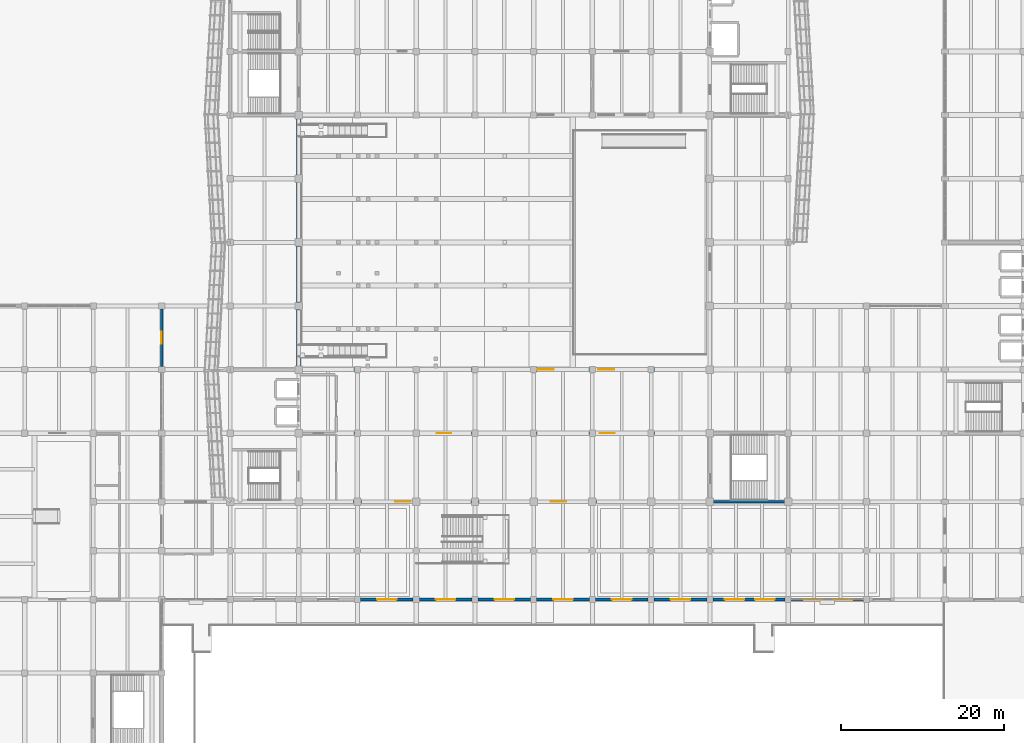
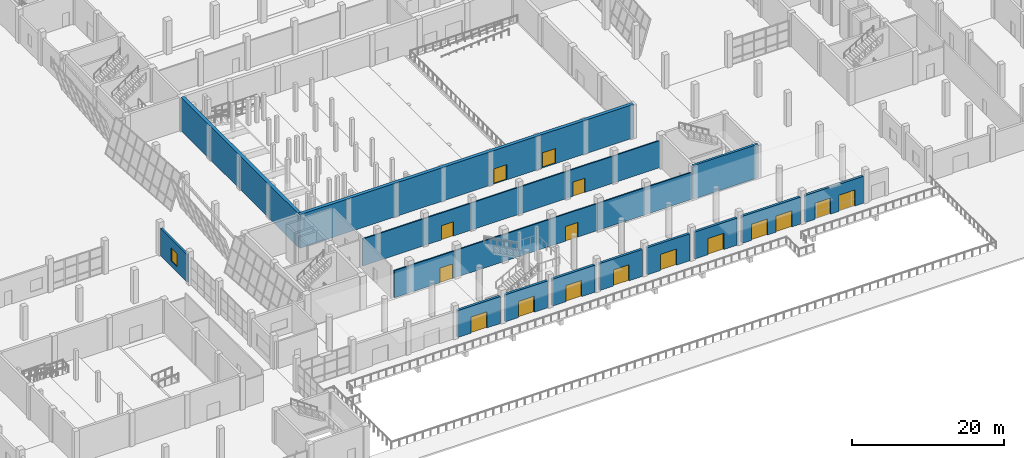
# One storey, part 62 of 78: 16 doors, 14 walls, 1 window, 17 openings.
"""IFC4 building model written with IfcOpenShell, lengths in metres."""

from ifc_helpers import new_model, si_unit, direction, frame, frame_2d, origin, place, context, subcontext, project, spatial, rectangle, extrude, material, layer, layer_set, type_object, element, fill, save


model = new_model("IFC4")

# Units and contexts
model_context = context("Model", 3, precision=1e-05, world=origin(), true_north=direction((0.0, 1.0)))
body_context = subcontext(model_context, "Body", "Model", "MODEL_VIEW")
ifc_project = project(units=[si_unit("LENGTHUNIT", "METRE"), si_unit("AREAUNIT", "SQUARE_METRE"), si_unit("VOLUMEUNIT", "CUBIC_METRE"), si_unit("PLANEANGLEUNIT", "RADIAN"), si_unit("MASSUNIT", "GRAM", prefix="KILO")], contexts=[model_context])

# Site, building, storey
site_placement = place(None, origin())
site = spatial("IfcSite", under=ifc_project, at=site_placement, CompositionType="ELEMENT")
building_placement = place(site_placement, origin())
building = spatial("IfcBuilding", under=site, at=building_placement, Name="Pellamere Symphony Hall", CompositionType="ELEMENT")
storey_placement = place(building_placement, origin())
storey = spatial("IfcBuildingStorey", under=building, at=storey_placement, Name="L00", CompositionType="ELEMENT", Elevation=0.0)

# Wall, opening, door
ifc_material_1 = material(Name="Precast concrete 40 MPa", Category="concrete")
ifc_layer_1 = layer(ifc_material_1, 0.360107421875, Name="Precast concrete 40 MPa")
ifc_layer_set_1 = layer_set([ifc_layer_1], Name="Precast concrete 40 MPa")
wall_type_1 = type_object("IfcWallType", Name="Exterior Wall EW-01 360mm", PredefinedType="SOLIDWALL", material=ifc_layer_set_1)
wall_1_placement = place(storey_placement, frame((66.375, 18.0, 0.0), z_axis=(0.0, 0.0, 1.0), x_axis=(1.0, 0.0, 0.0)))
wall_1 = element("IfcWall", 1, at=wall_1_placement, inside=storey, type_object=wall_type_1, Name="Exterior Wall EW-01-040 (L00)", PredefinedType="SOLIDWALL", context=body_context, shape_type="SweptSolid", body=[
    extrude(rectangle(XDim=6.449951171875, YDim=0.360107421875, at=frame_2d((3.22509765625, 0.0))), origin(), (0.0, 0.0, 1.0), 4.35009765625),
])
opening_1_placement = place(wall_1_placement, frame((2.02490234375, 0.0, 0.0)))
opening_1 = element("IfcOpeningElement", 2, at=opening_1_placement, cuts=wall_1, Name="Opening E03B", PredefinedType="OPENING", context=body_context, shape_type="SweptSolid", body=[
    extrude(rectangle(XDim=2.39990234375, YDim=2.60009765625, at=frame_2d((1.199951171875, 1.300048828125))), frame((0.0, 0.18994140625, 0.0), z_axis=(0.0, -1.0, 0.0), x_axis=(1.0, 0.0, 0.0)), (0.0, 0.0, 1.0), 0.380126953125),
])
ifc_material_2 = material(Name="Thermally Broken Bronze-Anodised Aluminium Acoustic Door", Category="aluminium")
door_type_1 = type_object("IfcDoorType", Name="Exterior Door ED-01 2400x2600", OperationType="NOTDEFINED", PredefinedType="DOOR", material=ifc_material_2)
door_1_placement = place(opening_1_placement, frame((2.39990234375, 0.0, 0.0), z_axis=(0.0, 0.0, 1.0), x_axis=(-1.0, 0.0, 0.0)))
door_1 = element("IfcDoor", 3, at=door_1_placement, inside=storey, type_object=door_type_1, Name="Grand Winter-Garden West Entrance 2", OperationType="DOUBLE_DOOR_SINGLE_SWING", OverallHeight=2.60009765625, OverallWidth=2.39990234375, PredefinedType="DOOR", context=body_context, shape_type="SweptSolid", body=[
    extrude(rectangle(XDim=2.39990234375, YDim=2.60009765625, at=frame_2d((1.199951171875, 1.300048828125))), frame((0.0, 0.02490234375, 0.0), z_axis=(0.0, -1.0, 0.0), x_axis=(1.0, 0.0, 0.0)), (0.0, 0.0, 1.0), 0.050048828125),
])
fill(opening_1, door_1)

wall_2_placement = place(storey_placement, frame((73.574951171875, 18.0, 0.0), z_axis=(0.0, 0.0, 1.0), x_axis=(1.0, 0.0, 0.0)))
wall_2 = element("IfcWall", 4, at=wall_2_placement, inside=storey, type_object=wall_type_1, Name="Exterior Wall EW-01-041 (L00)", PredefinedType="SOLIDWALL", context=body_context, shape_type="SweptSolid", body=[
    extrude(rectangle(XDim=6.449951171875, YDim=0.360107421875, at=frame_2d((3.22509765625, 0.0))), origin(), (0.0, 0.0, 1.0), 4.35009765625),
])
opening_2_placement = place(wall_2_placement, frame((2.02490234375, 0.0, 0.0)))
opening_2 = element("IfcOpeningElement", 5, at=opening_2_placement, cuts=wall_2, Name="Opening E03C", PredefinedType="OPENING", context=body_context, shape_type="SweptSolid", body=[
    extrude(rectangle(XDim=2.39990234375, YDim=2.60009765625, at=frame_2d((1.199951171875, 1.300048828125))), frame((0.0, 0.18994140625, 0.0), z_axis=(0.0, -1.0, 0.0), x_axis=(1.0, 0.0, 0.0)), (0.0, 0.0, 1.0), 0.380126953125),
])
door_2_placement = place(opening_2_placement, frame((2.39990234375, 0.0, 0.0), z_axis=(0.0, 0.0, 1.0), x_axis=(-1.0, 0.0, 0.0)))
door_2 = element("IfcDoor", 6, at=door_2_placement, inside=storey, type_object=door_type_1, Name="Grand Winter-Garden West Entrance 3", OperationType="DOUBLE_DOOR_SINGLE_SWING", OverallHeight=2.60009765625, OverallWidth=2.39990234375, PredefinedType="DOOR", context=body_context, shape_type="SweptSolid", body=[
    extrude(rectangle(XDim=2.39990234375, YDim=2.60009765625, at=frame_2d((1.199951171875, 1.300048828125))), frame((0.0, 0.02490234375, 0.0), z_axis=(0.0, -1.0, 0.0), x_axis=(1.0, 0.0, 0.0)), (0.0, 0.0, 1.0), 0.050048828125),
])
fill(opening_2, door_2)

wall_3_placement = place(storey_placement, frame((80.77490234375, 18.0, 0.0), z_axis=(0.0, 0.0, 1.0), x_axis=(1.0, 0.0, 0.0)))
wall_3 = element("IfcWall", 7, at=wall_3_placement, inside=storey, type_object=wall_type_1, Name="Exterior Wall EW-01-042 (L00)", PredefinedType="SOLIDWALL", context=body_context, shape_type="SweptSolid", body=[
    extrude(rectangle(XDim=6.4501953125, YDim=0.360107421875, at=frame_2d((3.22509765625, 0.0))), origin(), (0.0, 0.0, 1.0), 4.35009765625),
])
opening_3_placement = place(wall_3_placement, frame((2.02490234375, 0.0, 0.0)))
opening_3 = element("IfcOpeningElement", 8, at=opening_3_placement, cuts=wall_3, Name="Opening E04", PredefinedType="OPENING", context=body_context, shape_type="SweptSolid", body=[
    extrude(rectangle(XDim=2.39990234375, YDim=2.60009765625, at=frame_2d((1.199951171875, 1.300048828125))), frame((0.0, 0.18994140625, 0.0), z_axis=(0.0, -1.0, 0.0), x_axis=(1.0, 0.0, 0.0)), (0.0, 0.0, 1.0), 0.380126953125),
])
door_3_placement = place(opening_3_placement, frame((2.39990234375, 0.0, 0.0), z_axis=(0.0, 0.0, 1.0), x_axis=(-1.0, 0.0, 0.0)))
door_3 = element("IfcDoor", 9, at=door_3_placement, inside=storey, type_object=door_type_1, Name="Grand Winter-Garden Central Entrance 1", OperationType="DOUBLE_DOOR_SINGLE_SWING", OverallHeight=2.60009765625, OverallWidth=2.39990234375, PredefinedType="DOOR", context=body_context, shape_type="SweptSolid", body=[
    extrude(rectangle(XDim=2.39990234375, YDim=2.60009765625, at=frame_2d((1.199951171875, 1.300048828125))), frame((0.0, 0.02490234375, 0.0), z_axis=(0.0, -1.0, 0.0), x_axis=(1.0, 0.0, 0.0)), (0.0, 0.0, 1.0), 0.050048828125),
])
fill(opening_3, door_3)

wall_4_placement = place(storey_placement, frame((87.97509765625, 18.0, 0.0), z_axis=(0.0, 0.0, 1.0), x_axis=(1.0, 0.0, 0.0)))
wall_4 = element("IfcWall", 10, at=wall_4_placement, inside=storey, type_object=wall_type_1, Name="Exterior Wall EW-01-043 (L00)", PredefinedType="SOLIDWALL", context=body_context, shape_type="SweptSolid", body=[
    extrude(rectangle(XDim=6.449951171875, YDim=0.360107421875, at=frame_2d((3.22509765625, 0.0))), origin(), (0.0, 0.0, 1.0), 4.35009765625),
])
opening_4_placement = place(wall_4_placement, frame((2.02490234375, 0.0, 0.0)))
opening_4 = element("IfcOpeningElement", 11, at=opening_4_placement, cuts=wall_4, Name="Opening E04A", PredefinedType="OPENING", context=body_context, shape_type="SweptSolid", body=[
    extrude(rectangle(XDim=2.39990234375, YDim=2.60009765625, at=frame_2d((1.199951171875, 1.300048828125))), frame((0.0, 0.18994140625, 0.0), z_axis=(0.0, -1.0, 0.0), x_axis=(1.0, 0.0, 0.0)), (0.0, 0.0, 1.0), 0.380126953125),
])
door_4_placement = place(opening_4_placement, frame((2.39990234375, 0.0, 0.0), z_axis=(0.0, 0.0, 1.0), x_axis=(-1.0, 0.0, 0.0)))
door_4 = element("IfcDoor", 12, at=door_4_placement, inside=storey, type_object=door_type_1, Name="Grand Winter-Garden Central Entrance 2", OperationType="DOUBLE_DOOR_SINGLE_SWING", OverallHeight=2.60009765625, OverallWidth=2.39990234375, PredefinedType="DOOR", context=body_context, shape_type="SweptSolid", body=[
    extrude(rectangle(XDim=2.39990234375, YDim=2.60009765625, at=frame_2d((1.199951171875, 1.300048828125))), frame((0.0, 0.02490234375, 0.0), z_axis=(0.0, -1.0, 0.0), x_axis=(1.0, 0.0, 0.0)), (0.0, 0.0, 1.0), 0.050048828125),
])
fill(opening_4, door_4)

wall_5_placement = place(storey_placement, frame((95.175048828125, 18.0, 0.0), z_axis=(0.0, 0.0, 1.0), x_axis=(1.0, 0.0, 0.0)))
wall_5 = element("IfcWall", 13, at=wall_5_placement, inside=storey, type_object=wall_type_1, Name="Exterior Wall EW-01-044 (L00)", PredefinedType="SOLIDWALL", context=body_context, shape_type="SweptSolid", body=[
    extrude(rectangle(XDim=6.449951171875, YDim=0.360107421875, at=frame_2d((3.22509765625, 0.0))), origin(), (0.0, 0.0, 1.0), 4.35009765625),
])
opening_5_placement = place(wall_5_placement, frame((2.02490234375, 0.0, 0.0)))
opening_5 = element("IfcOpeningElement", 14, at=opening_5_placement, cuts=wall_5, Name="Opening E04B", PredefinedType="OPENING", context=body_context, shape_type="SweptSolid", body=[
    extrude(rectangle(XDim=2.39990234375, YDim=2.60009765625, at=frame_2d((1.199951171875, 1.300048828125))), frame((0.0, 0.18994140625, 0.0), z_axis=(0.0, -1.0, 0.0), x_axis=(1.0, 0.0, 0.0)), (0.0, 0.0, 1.0), 0.380126953125),
])
door_5_placement = place(opening_5_placement, frame((2.39990234375, 0.0, 0.0), z_axis=(0.0, 0.0, 1.0), x_axis=(-1.0, 0.0, 0.0)))
door_5 = element("IfcDoor", 15, at=door_5_placement, inside=storey, type_object=door_type_1, Name="Grand Winter-Garden Central Entrance 3", OperationType="DOUBLE_DOOR_SINGLE_SWING", OverallHeight=2.60009765625, OverallWidth=2.39990234375, PredefinedType="DOOR", context=body_context, shape_type="SweptSolid", body=[
    extrude(rectangle(XDim=2.39990234375, YDim=2.60009765625, at=frame_2d((1.199951171875, 1.300048828125))), frame((0.0, 0.02490234375, 0.0), z_axis=(0.0, -1.0, 0.0), x_axis=(1.0, 0.0, 0.0)), (0.0, 0.0, 1.0), 0.050048828125),
])
fill(opening_5, door_5)

wall_6_placement = place(storey_placement, frame((102.375, 18.0, 0.0), z_axis=(0.0, 0.0, 1.0), x_axis=(1.0, 0.0, 0.0)))
wall_6 = element("IfcWall", 16, at=wall_6_placement, inside=storey, type_object=wall_type_1, Name="Exterior Wall EW-01-045 (L00)", PredefinedType="SOLIDWALL", context=body_context, shape_type="SweptSolid", body=[
    extrude(rectangle(XDim=6.449951171875, YDim=0.360107421875, at=frame_2d((3.22509765625, 0.0))), origin(), (0.0, 0.0, 1.0), 4.35009765625),
])
opening_6_placement = place(wall_6_placement, frame((2.02490234375, 0.0, 0.0)))
opening_6 = element("IfcOpeningElement", 17, at=opening_6_placement, cuts=wall_6, Name="Opening E11A", PredefinedType="OPENING", context=body_context, shape_type="SweptSolid", body=[
    extrude(rectangle(XDim=2.39990234375, YDim=2.60009765625, at=frame_2d((1.199951171875, 1.300048828125))), frame((0.0, 0.18994140625, 0.0), z_axis=(0.0, -1.0, 0.0), x_axis=(1.0, 0.0, 0.0)), (0.0, 0.0, 1.0), 0.380126953125),
])
door_6_placement = place(opening_6_placement, frame((2.39990234375, 0.0, 0.0), z_axis=(0.0, 0.0, 1.0), x_axis=(-1.0, 0.0, 0.0)))
door_6 = element("IfcDoor", 18, at=door_6_placement, inside=storey, type_object=door_type_1, Name="Grand Winter-Garden East Entrance 1", OperationType="DOUBLE_DOOR_SINGLE_SWING", OverallHeight=2.60009765625, OverallWidth=2.39990234375, PredefinedType="DOOR", context=body_context, shape_type="SweptSolid", body=[
    extrude(rectangle(XDim=2.39990234375, YDim=2.60009765625, at=frame_2d((1.199951171875, 1.300048828125))), frame((0.0, 0.02490234375, 0.0), z_axis=(0.0, -1.0, 0.0), x_axis=(1.0, 0.0, 0.0)), (0.0, 0.0, 1.0), 0.050048828125),
])
fill(opening_6, door_6)

# Wall, openings, doors
wall_7_placement = place(storey_placement, frame((109.574951171875, 18.0, 0.0), z_axis=(0.0, 0.0, 1.0), x_axis=(1.0, 0.0, 0.0)))
wall_7 = element("IfcWall", 19, at=wall_7_placement, inside=storey, type_object=wall_type_1, Name="Exterior Wall EW-01-046 (L00)", PredefinedType="SOLIDWALL", context=body_context, shape_type="SweptSolid", body=[
    extrude(rectangle(XDim=8.85009765625, YDim=0.360107421875, at=frame_2d((4.425048828125, 0.0))), origin(), (0.0, 0.0, 1.0), 4.35009765625),
])
opening_7_placement = place(wall_7_placement, frame((1.455078125, 0.0, 0.0)))
opening_7 = element("IfcOpeningElement", 20, at=opening_7_placement, cuts=wall_7, Name="Opening E11", PredefinedType="OPENING", context=body_context, shape_type="SweptSolid", body=[
    extrude(rectangle(XDim=2.39990234375, YDim=2.60009765625, at=frame_2d((1.199951171875, 1.300048828125))), frame((0.0, 0.18994140625, 0.0), z_axis=(0.0, -1.0, 0.0), x_axis=(1.0, 0.0, 0.0)), (0.0, 0.0, 1.0), 0.380126953125),
])
opening_8_placement = place(wall_7_placement, frame((5.172119140625, 0.0, 0.0)))
opening_8 = element("IfcOpeningElement", 21, at=opening_8_placement, cuts=wall_7, Name="Opening E11B", PredefinedType="OPENING", context=body_context, shape_type="SweptSolid", body=[
    extrude(rectangle(XDim=2.39990234375, YDim=2.60009765625, at=frame_2d((1.199951171875, 1.300048828125))), frame((0.0, 0.18994140625, 0.0), z_axis=(0.0, -1.0, 0.0), x_axis=(1.0, 0.0, 0.0)), (0.0, 0.0, 1.0), 0.380126953125),
])
door_7_placement = place(opening_7_placement, frame((2.39990234375, 0.0, 0.0), z_axis=(0.0, 0.0, 1.0), x_axis=(-1.0, 0.0, 0.0)))
door_7 = element("IfcDoor", 22, at=door_7_placement, inside=storey, type_object=door_type_1, Name="Grand Winter-Garden East Entrance 2", OperationType="DOUBLE_DOOR_SINGLE_SWING", OverallHeight=2.60009765625, OverallWidth=2.39990234375, PredefinedType="DOOR", context=body_context, shape_type="SweptSolid", body=[
    extrude(rectangle(XDim=2.39990234375, YDim=2.60009765625, at=frame_2d((1.199951171875, 1.300048828125))), frame((0.0, 0.02490234375, 0.0), z_axis=(0.0, -1.0, 0.0), x_axis=(1.0, 0.0, 0.0)), (0.0, 0.0, 1.0), 0.050048828125),
])
fill(opening_7, door_7)
door_8_placement = place(opening_8_placement, frame((2.39990234375, 0.0, 0.0), z_axis=(0.0, 0.0, 1.0), x_axis=(-1.0, 0.0, 0.0)))
door_8 = element("IfcDoor", 23, at=door_8_placement, inside=storey, type_object=door_type_1, Name="Grand Winter-Garden East Entrance 3", OperationType="DOUBLE_DOOR_SINGLE_SWING", OverallHeight=2.60009765625, OverallWidth=2.39990234375, PredefinedType="DOOR", context=body_context, shape_type="SweptSolid", body=[
    extrude(rectangle(XDim=2.39990234375, YDim=2.60009765625, at=frame_2d((1.199951171875, 1.300048828125))), frame((0.0, 0.02490234375, 0.0), z_axis=(0.0, -1.0, 0.0), x_axis=(1.0, 0.0, 0.0)), (0.0, 0.0, 1.0), 0.050048828125),
])
fill(opening_8, door_8)

wall_8_placement = place(storey_placement, frame((119.175048828125, 18.0, 0.0), z_axis=(0.0, 0.0, 1.0), x_axis=(1.0, 0.0, 0.0)))
wall_8 = element("IfcWall", 24, at=wall_8_placement, inside=storey, type_object=wall_type_1, Name="Exterior Wall EW-01-047 (L00)", PredefinedType="SOLIDWALL", context=body_context, shape_type="SweptSolid", body=[
    extrude(rectangle(XDim=8.849853515625, YDim=0.360107421875, at=frame_2d((4.4248046875, 0.0))), origin(), (0.0, 0.0, 1.0), 4.35009765625),
])
opening_9_placement = place(wall_8_placement, frame((1.455078125, 0.0, 0.0)))
opening_9 = element("IfcOpeningElement", 25, at=opening_9_placement, cuts=wall_8, Name="Opening E11C", PredefinedType="OPENING", context=body_context, shape_type="SweptSolid", body=[
    extrude(rectangle(XDim=2.39990234375, YDim=2.60009765625, at=frame_2d((1.199951171875, 1.300048828125))), frame((0.0, 0.18994140625, 0.0), z_axis=(0.0, -1.0, 0.0), x_axis=(1.0, 0.0, 0.0)), (0.0, 0.0, 1.0), 0.380126953125),
])
opening_10_placement = place(wall_8_placement, frame((5.172119140625, 0.0, 0.0)))
opening_10 = element("IfcOpeningElement", 26, at=opening_10_placement, cuts=wall_8, Name="Opening E11D", PredefinedType="OPENING", context=body_context, shape_type="SweptSolid", body=[
    extrude(rectangle(XDim=2.39990234375, YDim=2.60009765625, at=frame_2d((1.199951171875, 1.300048828125))), frame((0.0, 0.18994140625, 0.0), z_axis=(0.0, -1.0, 0.0), x_axis=(1.0, 0.0, 0.0)), (0.0, 0.0, 1.0), 0.380126953125),
])
door_9_placement = place(opening_9_placement, frame((2.39990234375, 0.0, 0.0), z_axis=(0.0, 0.0, 1.0), x_axis=(-1.0, 0.0, 0.0)))
door_9 = element("IfcDoor", 27, at=door_9_placement, inside=storey, type_object=door_type_1, Name="East Concourse Plaza Portal 1", OperationType="DOUBLE_DOOR_SINGLE_SWING", OverallHeight=2.60009765625, OverallWidth=2.39990234375, PredefinedType="DOOR", context=body_context, shape_type="SweptSolid", body=[
    extrude(rectangle(XDim=2.39990234375, YDim=2.60009765625, at=frame_2d((1.199951171875, 1.300048828125))), frame((0.0, 0.02490234375, 0.0), z_axis=(0.0, -1.0, 0.0), x_axis=(1.0, 0.0, 0.0)), (0.0, 0.0, 1.0), 0.050048828125),
])
fill(opening_9, door_9)
door_10_placement = place(opening_10_placement, frame((2.39990234375, 0.0, 0.0), z_axis=(0.0, 0.0, 1.0), x_axis=(-1.0, 0.0, 0.0)))
door_10 = element("IfcDoor", 28, at=door_10_placement, inside=storey, type_object=door_type_1, Name="East Concourse Plaza Portal 2", OperationType="DOUBLE_DOOR_SINGLE_SWING", OverallHeight=2.60009765625, OverallWidth=2.39990234375, PredefinedType="DOOR", context=body_context, shape_type="SweptSolid", body=[
    extrude(rectangle(XDim=2.39990234375, YDim=2.60009765625, at=frame_2d((1.199951171875, 1.300048828125))), frame((0.0, 0.02490234375, 0.0), z_axis=(0.0, -1.0, 0.0), x_axis=(1.0, 0.0, 0.0)), (0.0, 0.0, 1.0), 0.050048828125),
])
fill(opening_10, door_10)

# Wall, opening, window
ifc_material_3 = material(Name="Architectural Limestone-Clad Insulated Backing Assembly", Category="masonry")
ifc_layer_2 = layer(ifc_material_3, 0.280029296875, Name="Architectural Limestone-Clad Insulated Backing Assembly")
ifc_layer_set_2 = layer_set([ifc_layer_2], Name="Architectural Limestone-Clad Insulated Backing Assembly")
wall_type_2 = type_object("IfcWallType", Name="Exterior Wall EW-03 280mm", PredefinedType="SOLIDWALL", material=ifc_layer_set_2)
wall_9_placement = place(storey_placement, frame((42.0, 46.574951171875, 0.0), z_axis=(0.0, 0.0, 1.0), x_axis=(0.0, 1.0, 0.0)))
wall_9 = element("IfcWall", 29, at=wall_9_placement, inside=storey, type_object=wall_type_2, Name="Exterior Wall EW-03-009 (L00)", PredefinedType="SOLIDWALL", context=body_context, shape_type="SweptSolid", body=[
    extrude(rectangle(XDim=7.050048828125, YDim=0.280029296875, at=frame_2d((3.52490234375, 0.0))), origin(), (0.0, 0.0, 1.0), 4.449951171875),
])
opening_11_placement = place(wall_9_placement, frame((2.77490234375, 0.0, 0.89990234375)))
opening_11 = element("IfcOpeningElement", 30, at=opening_11_placement, cuts=wall_9, Name="Opening W007", PredefinedType="OPENING", context=body_context, shape_type="SweptSolid", body=[
    extrude(rectangle(XDim=1.5, YDim=2.10009765625, at=frame_2d((0.75, 1.050048828125))), frame((0.0, 0.14990234375, 0.0), z_axis=(0.0, -1.0, 0.0), x_axis=(1.0, 0.0, 0.0)), (0.0, 0.0, 1.0), 0.300048828125),
])
ifc_material_4 = material(Name="Thermally Broken Aluminium Triple-Glazed Acoustic Window", Category="aluminium")
window_type = type_object("IfcWindowType", Name="Window WN-01 1500x2100", PartitioningType="SINGLE_PANEL", PredefinedType="WINDOW", material=ifc_material_4)
window_placement = place(opening_11_placement, origin())
window = element("IfcWindow", 31, at=window_placement, inside=storey, type_object=window_type, Name="Exterior Window W007 (L00)", OverallHeight=2.10009765625, OverallWidth=1.5, PartitioningType="SINGLE_PANEL", PredefinedType="WINDOW", context=body_context, shape_type="SweptSolid", body=[
    extrude(rectangle(XDim=1.5, YDim=2.10009765625, at=frame_2d((0.75, 1.050048828125))), frame((0.0, 0.030029296875, 0.0), z_axis=(0.0, -1.0, 0.0), x_axis=(1.0, 0.0, 0.0)), (0.0, 0.0, 1.0), 0.06005859375),
])
fill(opening_11, window)

# Wall, openings, doors
ifc_material_5 = material(Name="Fire-Rated STC-58 Corridor Acoustic Partition", Category="gypsum")
ifc_layer_3 = layer(ifc_material_5, 0.199951171875, Name="Fire-Rated STC-58 Corridor Acoustic Partition")
ifc_layer_set_3 = layer_set([ifc_layer_3], Name="Fire-Rated STC-58 Corridor Acoustic Partition")
wall_type_3 = type_object("IfcWallType", Name="Interior Partition IW-02 200mm", PredefinedType="PARTITIONING", material=ifc_layer_set_3)
wall_10_placement = place(storey_placement, frame((63.7099609375, 30.0, 0.0), z_axis=(0.0, 0.0, 1.0), x_axis=(1.0, 0.0, 0.0)))
wall_10 = element("IfcWall", 32, at=wall_10_placement, inside=storey, type_object=wall_type_3, Name="Interior Partition IW-02-054 (L00)", PredefinedType="PARTITIONING", context=body_context, shape_type="SweptSolid", body=[
    extrude(rectangle(XDim=45.130126953125, YDim=0.199951171875, at=frame_2d((22.56494140625, 0.0))), origin(), (0.0, 0.0, 1.0), 4.35009765625),
])
opening_12_placement = place(wall_10_placement, frame((6.949951171875, 0.0, 0.0)))
opening_12 = element("IfcOpeningElement", 33, at=opening_12_placement, cuts=wall_10, Name="Opening ID-GL1-014", PredefinedType="OPENING", context=body_context, shape_type="SweptSolid", body=[
    extrude(rectangle(XDim=1.89990234375, YDim=2.35009765625, at=frame_2d((0.949951171875, 1.175048828125))), frame((0.0, 0.10986328125, 0.0), z_axis=(0.0, -1.0, 0.0), x_axis=(1.0, 0.0, 0.0)), (0.0, 0.0, 1.0), 0.219970703125),
])
opening_13_placement = place(wall_10_placement, frame((26.0, 0.0, 0.0)))
opening_13 = element("IfcOpeningElement", 34, at=opening_13_placement, cuts=wall_10, Name="Opening ID-GL1-015", PredefinedType="OPENING", context=body_context, shape_type="SweptSolid", body=[
    extrude(rectangle(XDim=1.89990234375, YDim=2.35009765625, at=frame_2d((0.949951171875, 1.175048828125))), frame((0.0, 0.10986328125, 0.0), z_axis=(0.0, -1.0, 0.0), x_axis=(1.0, 0.0, 0.0)), (0.0, 0.0, 1.0), 0.219970703125),
])
ifc_material_6 = material(Name="Laminated Acoustic Glass Lounge Sliding Door", Category="glass")
door_type_2 = type_object("IfcDoorType", Name="Interior Door ID-GL1 1900x2350", OperationType="NOTDEFINED", PredefinedType="DOOR", material=ifc_material_6)
door_11_placement = place(opening_12_placement, origin())
door_11 = element("IfcDoor", 35, at=door_11_placement, inside=storey, type_object=door_type_2, Name="Box Office Sliding Glass Portal", OperationType="SLIDING_TO_RIGHT", OverallHeight=2.35009765625, OverallWidth=1.89990234375, PredefinedType="DOOR", context=body_context, shape_type="SweptSolid", body=[
    extrude(rectangle(XDim=1.89990234375, YDim=2.35009765625, at=frame_2d((0.949951171875, 1.175048828125))), frame((0.0, 0.02490234375, 0.0), z_axis=(0.0, -1.0, 0.0), x_axis=(1.0, 0.0, 0.0)), (0.0, 0.0, 1.0), 0.050048828125),
])
fill(opening_12, door_11)
door_12_placement = place(opening_13_placement, origin())
door_12 = element("IfcDoor", 36, at=door_12_placement, inside=storey, type_object=door_type_2, Name="Prairie Brasserie Concourse Portal", OperationType="SLIDING_TO_LEFT", OverallHeight=2.35009765625, OverallWidth=1.89990234375, PredefinedType="DOOR", context=body_context, shape_type="SweptSolid", body=[
    extrude(rectangle(XDim=1.89990234375, YDim=2.35009765625, at=frame_2d((0.949951171875, 1.175048828125))), frame((0.0, 0.02490234375, 0.0), z_axis=(0.0, -1.0, 0.0), x_axis=(1.0, 0.0, 0.0)), (0.0, 0.0, 1.0), 0.050048828125),
])
fill(opening_13, door_12)

wall_11_placement = place(storey_placement, frame((63.7099609375, 38.39990234375, 0.0), z_axis=(0.0, 0.0, 1.0), x_axis=(1.0, 0.0, 0.0)))
wall_11 = element("IfcWall", 37, at=wall_11_placement, inside=storey, type_object=wall_type_3, Name="Interior Partition IW-02-055 (L00)", PredefinedType="PARTITIONING", context=body_context, shape_type="SweptSolid", body=[
    extrude(rectangle(XDim=45.130126953125, YDim=0.199951171875, at=frame_2d((22.56494140625, 0.0))), origin(), (0.0, 0.0, 1.0), 4.340087890625),
])
opening_14_placement = place(wall_11_placement, frame((12.0, 0.0, 0.0)))
opening_14 = element("IfcOpeningElement", 38, at=opening_14_placement, cuts=wall_11, Name="Opening ID-FD1-016", PredefinedType="OPENING", context=body_context, shape_type="SweptSolid", body=[
    extrude(rectangle(XDim=1.800048828125, YDim=2.300048828125, at=frame_2d((0.89990234375, 1.14990234375))), frame((0.0, 0.10986328125, 0.0), z_axis=(0.0, -1.0, 0.0), x_axis=(1.0, 0.0, 0.0)), (0.0, 0.0, 1.0), 0.219970703125),
])
opening_15_placement = place(wall_11_placement, frame((32.0, 0.0, 0.0)))
opening_15 = element("IfcOpeningElement", 39, at=opening_15_placement, cuts=wall_11, Name="Opening ID-FD1-017", PredefinedType="OPENING", context=body_context, shape_type="SweptSolid", body=[
    extrude(rectangle(XDim=1.800048828125, YDim=2.300048828125, at=frame_2d((0.89990234375, 1.14990234375))), frame((0.0, 0.10986328125, 0.0), z_axis=(0.0, -1.0, 0.0), x_axis=(1.0, 0.0, 0.0)), (0.0, 0.0, 1.0), 0.219970703125),
])
ifc_material_7 = material(Name="Fire-Rated Cross-Corridor Double Door", Category="wood")
door_type_3 = type_object("IfcDoorType", Name="Interior Door ID-FD1 1800x2300", OperationType="NOTDEFINED", PredefinedType="DOOR", material=ifc_material_7)
door_13_placement = place(opening_14_placement, origin())
door_13 = element("IfcDoor", 40, at=door_13_placement, inside=storey, type_object=door_type_3, Name="South Stalls Foyer Acoustic Lobby West", OperationType="DOUBLE_DOOR_SINGLE_SWING", OverallHeight=2.300048828125, OverallWidth=1.800048828125, PredefinedType="DOOR", context=body_context, shape_type="SweptSolid", body=[
    extrude(rectangle(XDim=1.800048828125, YDim=2.300048828125, at=frame_2d((0.89990234375, 1.14990234375))), frame((0.0, 0.02490234375, 0.0), z_axis=(0.0, -1.0, 0.0), x_axis=(1.0, 0.0, 0.0)), (0.0, 0.0, 1.0), 0.050048828125),
])
fill(opening_14, door_13)
door_14_placement = place(opening_15_placement, origin())
door_14 = element("IfcDoor", 41, at=door_14_placement, inside=storey, type_object=door_type_3, Name="South Stalls Foyer Acoustic Lobby East", OperationType="DOUBLE_DOOR_SINGLE_SWING", OverallHeight=2.300048828125, OverallWidth=1.800048828125, PredefinedType="DOOR", context=body_context, shape_type="SweptSolid", body=[
    extrude(rectangle(XDim=1.800048828125, YDim=2.300048828125, at=frame_2d((0.89990234375, 1.14990234375))), frame((0.0, 0.02490234375, 0.0), z_axis=(0.0, -1.0, 0.0), x_axis=(1.0, 0.0, 0.0)), (0.0, 0.0, 1.0), 0.050048828125),
])
fill(opening_15, door_14)

# Wall
ifc_material_8 = material(Name="Concrete 40 MPa", Category="concrete")
ifc_layer_4 = layer(ifc_material_8, 0.35009765625, Name="Concrete 40 MPa")
ifc_layer_set_4 = layer_set([ifc_layer_4], Name="Concrete 40 MPa")
wall_type_4 = type_object("IfcWallType", Name="Structural Wall SW-03 350mm", PredefinedType="SHEAR", material=ifc_layer_set_4)
wall_12_placement = place(storey_placement, frame((109.02490234375, 30.0, 0.0), z_axis=(0.0, 0.0, 1.0), x_axis=(1.0, 0.0, 0.0)))
element("IfcWall", 42, at=wall_12_placement, inside=storey, type_object=wall_type_4, Name="Stair ST08 Enclosure Wall S (L00)", PredefinedType="SHEAR", context=body_context, shape_type="SweptSolid", body=[
    extrude(rectangle(XDim=9.9501953125, YDim=0.35009765625, at=frame_2d((4.97509765625, 0.0))), origin(), (0.0, 0.0, 1.0), 5.39990234375),
])

# Wall, openings, doors
ifc_material_9 = material(Name="Architectural warm-pigmented concrete 40 MPa", Category="concrete")
ifc_layer_5 = layer(ifc_material_9, 0.5, Name="Architectural warm-pigmented concrete 40 MPa")
ifc_layer_set_5 = layer_set([ifc_layer_5], Name="Architectural warm-pigmented concrete 40 MPa")
wall_type_5 = type_object("IfcWallType", Name="Structural Wall SW-05 500mm", PredefinedType="SOLIDWALL", material=ifc_layer_set_5)
wall_13_placement = place(storey_placement, frame((58.590087890625, 46.199951171875, 0.0), z_axis=(0.0, 0.0, 1.0), x_axis=(1.0, 0.0, 0.0)))
wall_13 = element("IfcWall", 43, at=wall_13_placement, inside=storey, type_object=wall_type_5, Name="Main Hall Acoustic Box Wall AW1-S (L00)", PredefinedType="SOLIDWALL", context=body_context, shape_type="SweptSolid", body=[
    extrude(rectangle(XDim=50.81982421875, YDim=0.5, at=frame_2d((25.409912109375, 0.0))), origin(), (0.0, 0.0, 1.0), 5.39990234375),
])
opening_16_placement = place(wall_13_placement, frame((29.5, 0.0, 0.0)))
opening_16 = element("IfcOpeningElement", 44, at=opening_16_placement, cuts=wall_13, Name="Opening AD-01", PredefinedType="OPENING", context=body_context, shape_type="SweptSolid", body=[
    extrude(rectangle(XDim=2.0, YDim=2.449951171875, at=frame_2d((1.0, 1.22509765625))), frame((0.0, 0.260009765625, 0.0), z_axis=(0.0, -1.0, 0.0), x_axis=(1.0, 0.0, 0.0)), (0.0, 0.0, 1.0), 0.52001953125),
])
opening_17_placement = place(wall_13_placement, frame((36.89990234375, 0.0, 0.0)))
opening_17 = element("IfcOpeningElement", 45, at=opening_17_placement, cuts=wall_13, Name="Opening AD-02", PredefinedType="OPENING", context=body_context, shape_type="SweptSolid", body=[
    extrude(rectangle(XDim=2.0, YDim=2.449951171875, at=frame_2d((1.0, 1.22509765625))), frame((0.0, 0.260009765625, 0.0), z_axis=(0.0, -1.0, 0.0), x_axis=(1.0, 0.0, 0.0)), (0.0, 0.0, 1.0), 0.52001953125),
])
ifc_material_10 = material(Name="STC-55 Solid White Oak Acoustic Hall Entry Door", Category="wood")
door_type_4 = type_object("IfcDoorType", Name="Interior Door ID-AD1 2000x2450", OperationType="NOTDEFINED", PredefinedType="DOOR", material=ifc_material_10)
door_15_placement = place(opening_16_placement, origin())
door_15 = element("IfcDoor", 46, at=door_15_placement, inside=storey, type_object=door_type_4, Name="Main Hall Stalls Acoustic Entry Door L00 S", OperationType="DOUBLE_DOOR_SINGLE_SWING", OverallHeight=2.449951171875, OverallWidth=2.0, PredefinedType="DOOR", context=body_context, shape_type="SweptSolid", body=[
    extrude(rectangle(XDim=2.0, YDim=2.449951171875, at=frame_2d((1.0, 1.22509765625))), frame((0.0, 0.02490234375, 0.0), z_axis=(0.0, -1.0, 0.0), x_axis=(1.0, 0.0, 0.0)), (0.0, 0.0, 1.0), 0.050048828125),
])
fill(opening_16, door_15)
door_16_placement = place(opening_17_placement, origin())
door_16 = element("IfcDoor", 47, at=door_16_placement, inside=storey, type_object=door_type_4, Name="Main Hall Stalls Acoustic Entry Door L00 S", OperationType="DOUBLE_DOOR_SINGLE_SWING", OverallHeight=2.449951171875, OverallWidth=2.0, PredefinedType="DOOR", context=body_context, shape_type="SweptSolid", body=[
    extrude(rectangle(XDim=2.0, YDim=2.449951171875, at=frame_2d((1.0, 1.22509765625))), frame((0.0, 0.02490234375, 0.0), z_axis=(0.0, -1.0, 0.0), x_axis=(1.0, 0.0, 0.0)), (0.0, 0.0, 1.0), 0.050048828125),
])
fill(opening_17, door_16)

# Wall
wall_14_placement = place(storey_placement, frame((58.800048828125, 46.409912109375, 0.0), z_axis=(0.0, 0.0, 1.0), x_axis=(0.0, 1.0, 0.0)))
element("IfcWall", 48, at=wall_14_placement, inside=storey, type_object=wall_type_5, Name="Main Hall Acoustic Box Wall AW1-W (L00)", PredefinedType="SOLIDWALL", context=body_context, shape_type="SweptSolid", body=[
    extrude(rectangle(XDim=30.780029296875, YDim=0.5, at=frame_2d((15.39013671875, 0.0))), origin(), (0.0, 0.0, 1.0), 5.39990234375),
])

save(model, "model.ifc")
